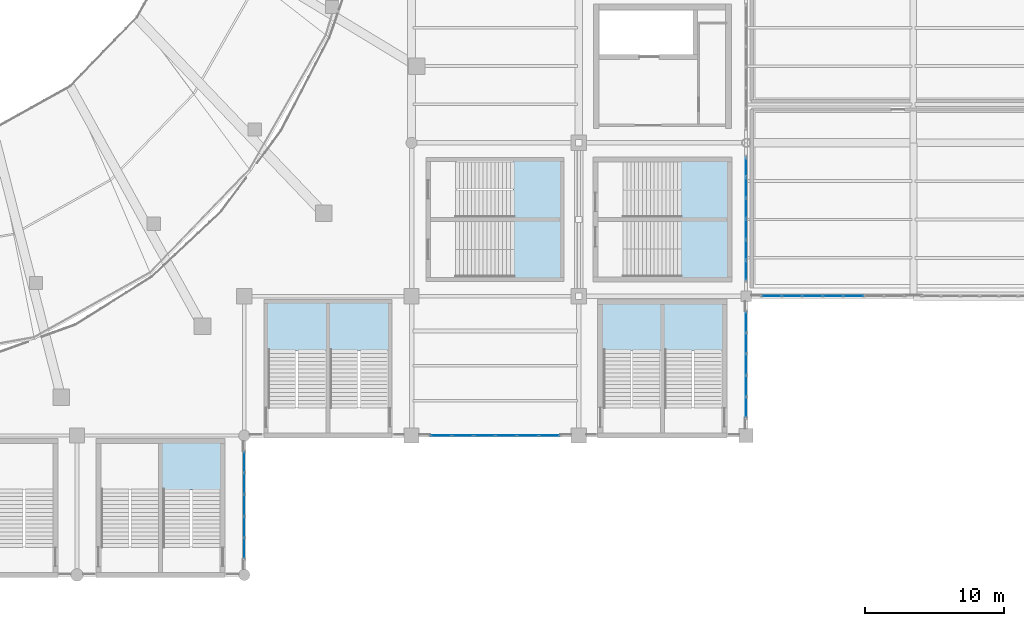
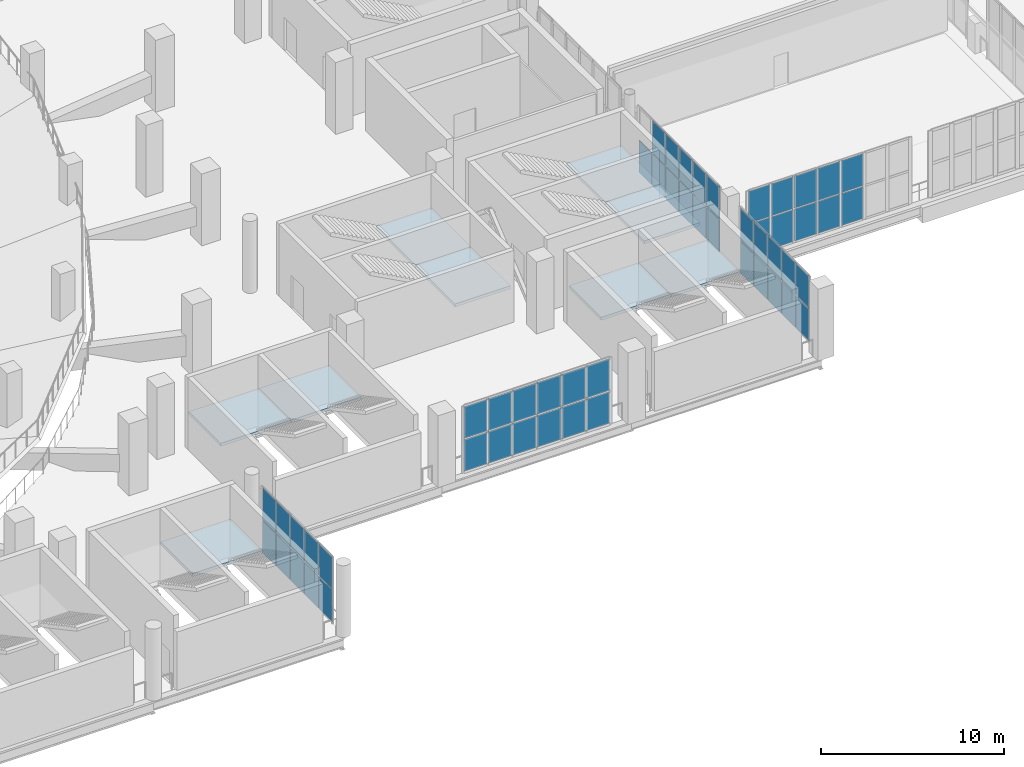
# One storey, part 100 of 136: 53 plates, 9 slabs, 14 elements without a shape of their own.
"""IFC4 building model written with IfcOpenShell, lengths in metres."""

from ifc_helpers import new_model, si_unit, direction, frame, origin, origin_2d, place, context, subcontext, project, spatial, polyline, rectangle, outline, extrude, material, layer, layer_set, type_object, element, aggregate, save


model = new_model("IFC4")

# Units and contexts
model_context = context("Model", 3, precision=1e-05, world=origin(), true_north=direction((0.0, 1.0)))
body_context = subcontext(model_context, "Body", "Model", "MODEL_VIEW")
ifc_project = project(units=[si_unit("LENGTHUNIT", "METRE"), si_unit("AREAUNIT", "SQUARE_METRE"), si_unit("VOLUMEUNIT", "CUBIC_METRE"), si_unit("PLANEANGLEUNIT", "RADIAN"), si_unit("MASSUNIT", "GRAM", prefix="KILO")], contexts=[model_context])

# Site, building, storey
site_placement = place(None, origin())
site = spatial("IfcSite", under=ifc_project, at=site_placement, CompositionType="ELEMENT")
building_placement = place(site_placement, origin())
building = spatial("IfcBuilding", under=site, at=building_placement, Name="Brinegate Civic Arena", CompositionType="ELEMENT")
storey_placement = place(building_placement, frame((0.0, 0.0, 5.39990234375)))
storey = spatial("IfcBuildingStorey", under=building, at=storey_placement, Name="L01", CompositionType="ELEMENT", Elevation=5.39990234375)

# Curtain wall, plates
ifc_material_1 = material(Name="Marine grade aluminium", Category="aluminium")
ifc_layer_1 = layer(ifc_material_1, 0.18505859375, Name="Marine grade aluminium")
ifc_layer_set_1 = layer_set([ifc_layer_1], Name="Marine grade aluminium")
curtain_wall_type_1 = type_object("IfcCurtainWallType", Name="CW-WING-GLAZED-03", PredefinedType="USERDEFINED", material=ifc_layer_set_1)
curtain_wall_1_placement = place(storey_placement, origin())
curtain_wall_1 = element("IfcCurtainWall", 1, at=curtain_wall_1_placement, inside=storey, type_object=curtain_wall_type_1, Name="Curtain Wall CWA-039", ObjectType="GLAZED CURTAIN WALL", PredefinedType="USERDEFINED")
ifc_material_2 = material(Name="Hurricane laminated low-E glass", Category="glass")
ifc_layer_2 = layer(ifc_material_2, 0.031982421875, Name="Hurricane laminated low-E glass")
ifc_layer_set_2 = layer_set([ifc_layer_2], Name="Hurricane laminated low-E glass")
plate_type_1 = type_object("IfcPlateType", Name="CW-PANEL-GLAZED-32", PredefinedType="CURTAIN_PANEL", material=ifc_layer_set_2)
plate_1_placement = place(storey_placement, frame((169.83349609375, 20.0, 0.06494140625), z_axis=(0.0, 0.0, 1.0), x_axis=(1.0, 0.0, 0.0)))
plate_1 = element("IfcPlate", 2, at=plate_1_placement, type_object=plate_type_1, Name="CWA-039 panel 1.1", PredefinedType="CURTAIN_PANEL", context=body_context, shape_type="SweptSolid", body=[
    extrude(rectangle(XDim=1.376708984375, YDim=0.031982421875, at=origin_2d()), origin(), (0.0, 0.0, 1.0), 2.137451171875),
])
plate_2_placement = place(storey_placement, frame((169.83349609375, 20.0, 2.267578125), z_axis=(0.0, 0.0, 1.0), x_axis=(1.0, 0.0, 0.0)))
plate_2 = element("IfcPlate", 3, at=plate_2_placement, type_object=plate_type_1, Name="CWA-039 panel 1.2", PredefinedType="CURTAIN_PANEL", context=body_context, shape_type="SweptSolid", body=[
    extrude(rectangle(XDim=1.376708984375, YDim=0.031982421875, at=origin_2d()), origin(), (0.0, 0.0, 1.0), 2.137451171875),
])
plate_3_placement = place(storey_placement, frame((171.29150390625, 20.0, 0.06494140625), z_axis=(0.0, 0.0, 1.0), x_axis=(1.0, 0.0, 0.0)))
plate_3 = element("IfcPlate", 4, at=plate_3_placement, type_object=plate_type_1, Name="CWA-039 panel 2.1", PredefinedType="CURTAIN_PANEL", context=body_context, shape_type="SweptSolid", body=[
    extrude(rectangle(XDim=1.4091796875, YDim=0.031982421875, at=origin_2d()), origin(), (0.0, 0.0, 1.0), 2.137451171875),
])
plate_4_placement = place(storey_placement, frame((171.29150390625, 20.0, 2.267578125), z_axis=(0.0, 0.0, 1.0), x_axis=(1.0, 0.0, 0.0)))
plate_4 = element("IfcPlate", 5, at=plate_4_placement, type_object=plate_type_1, Name="CWA-039 panel 2.2", PredefinedType="CURTAIN_PANEL", context=body_context, shape_type="SweptSolid", body=[
    extrude(rectangle(XDim=1.4091796875, YDim=0.031982421875, at=origin_2d()), origin(), (0.0, 0.0, 1.0), 2.137451171875),
])
plate_5_placement = place(storey_placement, frame((172.765625, 20.0, 0.06494140625), z_axis=(0.0, 0.0, 1.0), x_axis=(1.0, 0.0, 0.0)))
plate_5 = element("IfcPlate", 6, at=plate_5_placement, type_object=plate_type_1, Name="CWA-039 panel 3.1", PredefinedType="CURTAIN_PANEL", context=body_context, shape_type="SweptSolid", body=[
    extrude(rectangle(XDim=1.4091796875, YDim=0.031982421875, at=origin_2d()), origin(), (0.0, 0.0, 1.0), 2.137451171875),
])
plate_6_placement = place(storey_placement, frame((172.765625, 20.0, 2.267578125), z_axis=(0.0, 0.0, 1.0), x_axis=(1.0, 0.0, 0.0)))
plate_6 = element("IfcPlate", 7, at=plate_6_placement, type_object=plate_type_1, Name="CWA-039 panel 3.2", PredefinedType="CURTAIN_PANEL", context=body_context, shape_type="SweptSolid", body=[
    extrude(rectangle(XDim=1.4091796875, YDim=0.031982421875, at=origin_2d()), origin(), (0.0, 0.0, 1.0), 2.137451171875),
])
plate_7_placement = place(storey_placement, frame((174.239990234375, 20.0, 0.06494140625), z_axis=(0.0, 0.0, 1.0), x_axis=(1.0, 0.0, 0.0)))
plate_7 = element("IfcPlate", 8, at=plate_7_placement, type_object=plate_type_1, Name="CWA-039 panel 4.1", PredefinedType="CURTAIN_PANEL", context=body_context, shape_type="SweptSolid", body=[
    extrude(rectangle(XDim=1.4091796875, YDim=0.031982421875, at=origin_2d()), origin(), (0.0, 0.0, 1.0), 2.137451171875),
])
plate_8_placement = place(storey_placement, frame((174.239990234375, 20.0, 2.267578125), z_axis=(0.0, 0.0, 1.0), x_axis=(1.0, 0.0, 0.0)))
plate_8 = element("IfcPlate", 9, at=plate_8_placement, type_object=plate_type_1, Name="CWA-039 panel 4.2", PredefinedType="CURTAIN_PANEL", context=body_context, shape_type="SweptSolid", body=[
    extrude(rectangle(XDim=1.4091796875, YDim=0.031982421875, at=origin_2d()), origin(), (0.0, 0.0, 1.0), 2.137451171875),
])
plate_9_placement = place(storey_placement, frame((175.71435546875, 20.0, 0.06494140625), z_axis=(0.0, 0.0, 1.0), x_axis=(1.0, 0.0, 0.0)))
plate_9 = element("IfcPlate", 10, at=plate_9_placement, type_object=plate_type_1, Name="CWA-039 panel 5.1", PredefinedType="CURTAIN_PANEL", context=body_context, shape_type="SweptSolid", body=[
    extrude(rectangle(XDim=1.4091796875, YDim=0.031982421875, at=origin_2d()), origin(), (0.0, 0.0, 1.0), 2.137451171875),
])
plate_10_placement = place(storey_placement, frame((175.71435546875, 20.0, 2.267578125), z_axis=(0.0, 0.0, 1.0), x_axis=(1.0, 0.0, 0.0)))
plate_10 = element("IfcPlate", 11, at=plate_10_placement, type_object=plate_type_1, Name="CWA-039 panel 5.2", PredefinedType="CURTAIN_PANEL", context=body_context, shape_type="SweptSolid", body=[
    extrude(rectangle(XDim=1.4091796875, YDim=0.031982421875, at=origin_2d()), origin(), (0.0, 0.0, 1.0), 2.137451171875),
])
aggregate(curtain_wall_1, [plate_1, plate_2, plate_3, plate_4, plate_5, plate_6, plate_7, plate_8, plate_9, plate_10])

ifc_layer_3 = layer(ifc_material_1, 0.199951171875, Name="Marine grade aluminium")
ifc_layer_set_3 = layer_set([ifc_layer_3], Name="Marine grade aluminium")
curtain_wall_type_2 = type_object("IfcCurtainWallType", Name="CW-BOWL-GLAZED-01", PredefinedType="USERDEFINED", material=ifc_layer_set_3)
curtain_wall_2_placement = place(storey_placement, origin())
curtain_wall_2 = element("IfcCurtainWall", 12, at=curtain_wall_2_placement, inside=storey, type_object=curtain_wall_type_2, Name="Curtain Wall CWA-043", ObjectType="GLAZED CURTAIN WALL", PredefinedType="USERDEFINED")
plate_11_placement = place(storey_placement, frame((168.0, 12.03955078125, 0.06494140625), z_axis=(0.0, 0.0, 1.0), x_axis=(0.0, 1.0, 0.0)))
plate_11 = element("IfcPlate", 13, at=plate_11_placement, type_object=plate_type_1, Name="CWA-043 panel 1.1", PredefinedType="CURTAIN_PANEL", context=body_context, shape_type="SweptSolid", body=[
    extrude(rectangle(XDim=1.43505859375, YDim=0.031982421875, at=origin_2d()), origin(), (0.0, 0.0, 1.0), 2.137451171875),
])
plate_12_placement = place(storey_placement, frame((168.0, 12.03955078125, 2.267578125), z_axis=(0.0, 0.0, 1.0), x_axis=(0.0, 1.0, 0.0)))
plate_12 = element("IfcPlate", 14, at=plate_12_placement, type_object=plate_type_1, Name="CWA-043 panel 1.2", PredefinedType="CURTAIN_PANEL", context=body_context, shape_type="SweptSolid", body=[
    extrude(rectangle(XDim=1.43505859375, YDim=0.031982421875, at=origin_2d()), origin(), (0.0, 0.0, 1.0), 2.137451171875),
])
plate_13_placement = place(storey_placement, frame((168.0, 13.555908203125, 0.06494140625), z_axis=(0.0, 0.0, 1.0), x_axis=(0.0, 1.0, 0.0)))
plate_13 = element("IfcPlate", 15, at=plate_13_placement, type_object=plate_type_1, Name="CWA-043 panel 2.1", PredefinedType="CURTAIN_PANEL", context=body_context, shape_type="SweptSolid", body=[
    extrude(rectangle(XDim=1.467529296875, YDim=0.031982421875, at=origin_2d()), origin(), (0.0, 0.0, 1.0), 2.137451171875),
])
plate_14_placement = place(storey_placement, frame((168.0, 13.555908203125, 2.267578125), z_axis=(0.0, 0.0, 1.0), x_axis=(0.0, 1.0, 0.0)))
plate_14 = element("IfcPlate", 16, at=plate_14_placement, type_object=plate_type_1, Name="CWA-043 panel 2.2", PredefinedType="CURTAIN_PANEL", context=body_context, shape_type="SweptSolid", body=[
    extrude(rectangle(XDim=1.467529296875, YDim=0.031982421875, at=origin_2d()), origin(), (0.0, 0.0, 1.0), 2.137451171875),
])
plate_15_placement = place(storey_placement, frame((168.0, 15.08837890625, 0.06494140625), z_axis=(0.0, 0.0, 1.0), x_axis=(0.0, 1.0, 0.0)))
plate_15 = element("IfcPlate", 17, at=plate_15_placement, type_object=plate_type_1, Name="CWA-043 panel 3.1", PredefinedType="CURTAIN_PANEL", context=body_context, shape_type="SweptSolid", body=[
    extrude(rectangle(XDim=1.467529296875, YDim=0.031982421875, at=origin_2d()), origin(), (0.0, 0.0, 1.0), 2.137451171875),
])
plate_16_placement = place(storey_placement, frame((168.0, 15.08837890625, 2.267578125), z_axis=(0.0, 0.0, 1.0), x_axis=(0.0, 1.0, 0.0)))
plate_16 = element("IfcPlate", 18, at=plate_16_placement, type_object=plate_type_1, Name="CWA-043 panel 3.2", PredefinedType="CURTAIN_PANEL", context=body_context, shape_type="SweptSolid", body=[
    extrude(rectangle(XDim=1.467529296875, YDim=0.031982421875, at=origin_2d()), origin(), (0.0, 0.0, 1.0), 2.137451171875),
])
plate_17_placement = place(storey_placement, frame((168.0, 16.62109375, 0.06494140625), z_axis=(0.0, 0.0, 1.0), x_axis=(0.0, 1.0, 0.0)))
plate_17 = element("IfcPlate", 19, at=plate_17_placement, type_object=plate_type_1, Name="CWA-043 panel 4.1", PredefinedType="CURTAIN_PANEL", context=body_context, shape_type="SweptSolid", body=[
    extrude(rectangle(XDim=1.467529296875, YDim=0.031982421875, at=origin_2d()), origin(), (0.0, 0.0, 1.0), 2.137451171875),
])
plate_18_placement = place(storey_placement, frame((168.0, 16.62109375, 2.267578125), z_axis=(0.0, 0.0, 1.0), x_axis=(0.0, 1.0, 0.0)))
plate_18 = element("IfcPlate", 20, at=plate_18_placement, type_object=plate_type_1, Name="CWA-043 panel 4.2", PredefinedType="CURTAIN_PANEL", context=body_context, shape_type="SweptSolid", body=[
    extrude(rectangle(XDim=1.467529296875, YDim=0.031982421875, at=origin_2d()), origin(), (0.0, 0.0, 1.0), 2.137451171875),
])
plate_19_placement = place(storey_placement, frame((168.0, 18.137451171875, 0.06494140625), z_axis=(0.0, 0.0, 1.0), x_axis=(0.0, 1.0, 0.0)))
plate_19 = element("IfcPlate", 21, at=plate_19_placement, type_object=plate_type_1, Name="CWA-043 panel 5.1", PredefinedType="CURTAIN_PANEL", context=body_context, shape_type="SweptSolid", body=[
    extrude(rectangle(XDim=1.43505859375, YDim=0.031982421875, at=origin_2d()), origin(), (0.0, 0.0, 1.0), 2.137451171875),
])
plate_20_placement = place(storey_placement, frame((168.0, 18.137451171875, 2.267578125), z_axis=(0.0, 0.0, 1.0), x_axis=(0.0, 1.0, 0.0)))
plate_20 = element("IfcPlate", 22, at=plate_20_placement, type_object=plate_type_1, Name="CWA-043 panel 5.2", PredefinedType="CURTAIN_PANEL", context=body_context, shape_type="SweptSolid", body=[
    extrude(rectangle(XDim=1.43505859375, YDim=0.031982421875, at=origin_2d()), origin(), (0.0, 0.0, 1.0), 2.137451171875),
])
aggregate(curtain_wall_2, [plate_11, plate_12, plate_13, plate_14, plate_15, plate_16, plate_17, plate_18, plate_19, plate_20])

ifc_layer_4 = layer(ifc_material_1, 0.25, Name="Marine grade aluminium")
ifc_layer_set_4 = layer_set([ifc_layer_4], Name="Marine grade aluminium")
curtain_wall_type_3 = type_object("IfcCurtainWallType", Name="CW-PORTAL-SOUTH-02", PredefinedType="USERDEFINED", material=ifc_layer_set_4)
curtain_wall_3_placement = place(storey_placement, origin())
curtain_wall_3 = element("IfcCurtainWall", 23, at=curtain_wall_3_placement, inside=storey, type_object=curtain_wall_type_3, Name="Curtain Wall CWA-071", ObjectType="PORTAL CURTAIN WALL", PredefinedType="USERDEFINED")
plate_21_placement = place(storey_placement, frame((132.0, 1.908935546875, 0.06494140625), z_axis=(0.0, 0.0, 1.0), x_axis=(0.0, 1.0, 0.0)))
plate_21 = element("IfcPlate", 24, at=plate_21_placement, type_object=plate_type_1, Name="CWA-071 panel 1.1", PredefinedType="CURTAIN_PANEL", context=body_context, shape_type="SweptSolid", body=[
    extrude(rectangle(XDim=1.4560546875, YDim=0.031982421875, at=origin_2d()), origin(), (0.0, 0.0, 1.0), 2.137451171875),
])
plate_22_placement = place(storey_placement, frame((132.0, 1.908935546875, 2.267578125), z_axis=(0.0, 0.0, 1.0), x_axis=(0.0, 1.0, 0.0)))
plate_22 = element("IfcPlate", 25, at=plate_22_placement, type_object=plate_type_1, Name="CWA-071 panel 1.2", PredefinedType="CURTAIN_PANEL", context=body_context, shape_type="SweptSolid", body=[
    extrude(rectangle(XDim=1.4560546875, YDim=0.031982421875, at=origin_2d()), origin(), (0.0, 0.0, 1.0), 2.137451171875),
])
plate_23_placement = place(storey_placement, frame((132.0, 3.4462890625, 0.06494140625), z_axis=(0.0, 0.0, 1.0), x_axis=(0.0, 1.0, 0.0)))
plate_23 = element("IfcPlate", 26, at=plate_23_placement, type_object=plate_type_1, Name="CWA-071 panel 2.1", PredefinedType="CURTAIN_PANEL", context=body_context, shape_type="SweptSolid", body=[
    extrude(rectangle(XDim=1.488525390625, YDim=0.031982421875, at=origin_2d()), origin(), (0.0, 0.0, 1.0), 2.137451171875),
])
plate_24_placement = place(storey_placement, frame((132.0, 3.4462890625, 2.267578125), z_axis=(0.0, 0.0, 1.0), x_axis=(0.0, 1.0, 0.0)))
plate_24 = element("IfcPlate", 27, at=plate_24_placement, type_object=plate_type_1, Name="CWA-071 panel 2.2", PredefinedType="CURTAIN_PANEL", context=body_context, shape_type="SweptSolid", body=[
    extrude(rectangle(XDim=1.488525390625, YDim=0.031982421875, at=origin_2d()), origin(), (0.0, 0.0, 1.0), 2.137451171875),
])
plate_25_placement = place(storey_placement, frame((132.0, 5.0, 0.06494140625), z_axis=(0.0, 0.0, 1.0), x_axis=(0.0, 1.0, 0.0)))
plate_25 = element("IfcPlate", 28, at=plate_25_placement, type_object=plate_type_1, Name="CWA-071 panel 3.1", PredefinedType="CURTAIN_PANEL", context=body_context, shape_type="SweptSolid", body=[
    extrude(rectangle(XDim=1.488525390625, YDim=0.031982421875, at=origin_2d()), origin(), (0.0, 0.0, 1.0), 2.137451171875),
])
plate_26_placement = place(storey_placement, frame((132.0, 5.0, 2.267578125), z_axis=(0.0, 0.0, 1.0), x_axis=(0.0, 1.0, 0.0)))
plate_26 = element("IfcPlate", 29, at=plate_26_placement, type_object=plate_type_1, Name="CWA-071 panel 3.2", PredefinedType="CURTAIN_PANEL", context=body_context, shape_type="SweptSolid", body=[
    extrude(rectangle(XDim=1.488525390625, YDim=0.031982421875, at=origin_2d()), origin(), (0.0, 0.0, 1.0), 2.137451171875),
])
plate_27_placement = place(storey_placement, frame((132.0, 6.5537109375, 0.06494140625), z_axis=(0.0, 0.0, 1.0), x_axis=(0.0, 1.0, 0.0)))
plate_27 = element("IfcPlate", 30, at=plate_27_placement, type_object=plate_type_1, Name="CWA-071 panel 4.1", PredefinedType="CURTAIN_PANEL", context=body_context, shape_type="SweptSolid", body=[
    extrude(rectangle(XDim=1.488525390625, YDim=0.031982421875, at=origin_2d()), origin(), (0.0, 0.0, 1.0), 2.137451171875),
])
plate_28_placement = place(storey_placement, frame((132.0, 6.5537109375, 2.267578125), z_axis=(0.0, 0.0, 1.0), x_axis=(0.0, 1.0, 0.0)))
plate_28 = element("IfcPlate", 31, at=plate_28_placement, type_object=plate_type_1, Name="CWA-071 panel 4.2", PredefinedType="CURTAIN_PANEL", context=body_context, shape_type="SweptSolid", body=[
    extrude(rectangle(XDim=1.488525390625, YDim=0.031982421875, at=origin_2d()), origin(), (0.0, 0.0, 1.0), 2.137451171875),
])
plate_29_placement = place(storey_placement, frame((132.0, 8.091064453125, 0.06494140625), z_axis=(0.0, 0.0, 1.0), x_axis=(0.0, 1.0, 0.0)))
plate_29 = element("IfcPlate", 32, at=plate_29_placement, type_object=plate_type_1, Name="CWA-071 panel 5.1", PredefinedType="CURTAIN_PANEL", context=body_context, shape_type="SweptSolid", body=[
    extrude(rectangle(XDim=1.4560546875, YDim=0.031982421875, at=origin_2d()), origin(), (0.0, 0.0, 1.0), 2.137451171875),
])
plate_30_placement = place(storey_placement, frame((132.0, 8.091064453125, 2.267578125), z_axis=(0.0, 0.0, 1.0), x_axis=(0.0, 1.0, 0.0)))
plate_30 = element("IfcPlate", 33, at=plate_30_placement, type_object=plate_type_1, Name="CWA-071 panel 5.2", PredefinedType="CURTAIN_PANEL", context=body_context, shape_type="SweptSolid", body=[
    extrude(rectangle(XDim=1.4560546875, YDim=0.031982421875, at=origin_2d()), origin(), (0.0, 0.0, 1.0), 2.137451171875),
])
aggregate(curtain_wall_3, [plate_21, plate_22, plate_23, plate_24, plate_25, plate_26, plate_27, plate_28, plate_29, plate_30])

curtain_wall_4_placement = place(storey_placement, origin())
curtain_wall_4 = element("IfcCurtainWall", 34, at=curtain_wall_4_placement, inside=storey, type_object=curtain_wall_type_2, Name="Curtain Wall CWA-073", ObjectType="GLAZED CURTAIN WALL", PredefinedType="USERDEFINED")
plate_31_placement = place(storey_placement, frame((146.122802734375, 10.0, 0.074951171875), z_axis=(0.0, 0.0, 1.0), x_axis=(1.0, 0.0, 0.0)))
plate_31 = element("IfcPlate", 35, at=plate_31_placement, type_object=plate_type_1, Name="CWA-073 panel 1.1", PredefinedType="CURTAIN_PANEL", context=body_context, shape_type="SweptSolid", body=[
    extrude(rectangle(XDim=1.459716796875, YDim=0.031982421875, at=origin_2d()), origin(), (0.0, 0.0, 1.0), 2.12255859375),
])
plate_32_placement = place(storey_placement, frame((146.122802734375, 10.0, 2.2724609375), z_axis=(0.0, 0.0, 1.0), x_axis=(1.0, 0.0, 0.0)))
plate_32 = element("IfcPlate", 36, at=plate_32_placement, type_object=plate_type_1, Name="CWA-073 panel 1.2", PredefinedType="CURTAIN_PANEL", context=body_context, shape_type="SweptSolid", body=[
    extrude(rectangle(XDim=1.459716796875, YDim=0.031982421875, at=origin_2d()), origin(), (0.0, 0.0, 1.0), 2.12255859375),
])
plate_33_placement = place(storey_placement, frame((147.6640625, 10.0, 0.074951171875), z_axis=(0.0, 0.0, 1.0), x_axis=(1.0, 0.0, 0.0)))
plate_33 = element("IfcPlate", 37, at=plate_33_placement, type_object=plate_type_1, Name="CWA-073 panel 2.1", PredefinedType="CURTAIN_PANEL", context=body_context, shape_type="SweptSolid", body=[
    extrude(rectangle(XDim=1.492431640625, YDim=0.031982421875, at=origin_2d()), origin(), (0.0, 0.0, 1.0), 2.12255859375),
])
plate_34_placement = place(storey_placement, frame((147.6640625, 10.0, 2.2724609375), z_axis=(0.0, 0.0, 1.0), x_axis=(1.0, 0.0, 0.0)))
plate_34 = element("IfcPlate", 38, at=plate_34_placement, type_object=plate_type_1, Name="CWA-073 panel 2.2", PredefinedType="CURTAIN_PANEL", context=body_context, shape_type="SweptSolid", body=[
    extrude(rectangle(XDim=1.492431640625, YDim=0.031982421875, at=origin_2d()), origin(), (0.0, 0.0, 1.0), 2.12255859375),
])
plate_35_placement = place(storey_placement, frame((149.221435546875, 10.0, 0.074951171875), z_axis=(0.0, 0.0, 1.0), x_axis=(1.0, 0.0, 0.0)))
plate_35 = element("IfcPlate", 39, at=plate_35_placement, type_object=plate_type_1, Name="CWA-073 panel 3.1", PredefinedType="CURTAIN_PANEL", context=body_context, shape_type="SweptSolid", body=[
    extrude(rectangle(XDim=1.492431640625, YDim=0.031982421875, at=origin_2d()), origin(), (0.0, 0.0, 1.0), 2.12255859375),
])
plate_36_placement = place(storey_placement, frame((149.221435546875, 10.0, 2.2724609375), z_axis=(0.0, 0.0, 1.0), x_axis=(1.0, 0.0, 0.0)))
plate_36 = element("IfcPlate", 40, at=plate_36_placement, type_object=plate_type_1, Name="CWA-073 panel 3.2", PredefinedType="CURTAIN_PANEL", context=body_context, shape_type="SweptSolid", body=[
    extrude(rectangle(XDim=1.492431640625, YDim=0.031982421875, at=origin_2d()), origin(), (0.0, 0.0, 1.0), 2.12255859375),
])
plate_37_placement = place(storey_placement, frame((150.778564453125, 10.0, 0.074951171875), z_axis=(0.0, 0.0, 1.0), x_axis=(1.0, 0.0, 0.0)))
plate_37 = element("IfcPlate", 41, at=plate_37_placement, type_object=plate_type_1, Name="CWA-073 panel 4.1", PredefinedType="CURTAIN_PANEL", context=body_context, shape_type="SweptSolid", body=[
    extrude(rectangle(XDim=1.492431640625, YDim=0.031982421875, at=origin_2d()), origin(), (0.0, 0.0, 1.0), 2.12255859375),
])
plate_38_placement = place(storey_placement, frame((150.778564453125, 10.0, 2.2724609375), z_axis=(0.0, 0.0, 1.0), x_axis=(1.0, 0.0, 0.0)))
plate_38 = element("IfcPlate", 42, at=plate_38_placement, type_object=plate_type_1, Name="CWA-073 panel 4.2", PredefinedType="CURTAIN_PANEL", context=body_context, shape_type="SweptSolid", body=[
    extrude(rectangle(XDim=1.492431640625, YDim=0.031982421875, at=origin_2d()), origin(), (0.0, 0.0, 1.0), 2.12255859375),
])
plate_39_placement = place(storey_placement, frame((152.3359375, 10.0, 0.074951171875), z_axis=(0.0, 0.0, 1.0), x_axis=(1.0, 0.0, 0.0)))
plate_39 = element("IfcPlate", 43, at=plate_39_placement, type_object=plate_type_1, Name="CWA-073 panel 5.1", PredefinedType="CURTAIN_PANEL", context=body_context, shape_type="SweptSolid", body=[
    extrude(rectangle(XDim=1.492431640625, YDim=0.031982421875, at=origin_2d()), origin(), (0.0, 0.0, 1.0), 2.12255859375),
])
plate_40_placement = place(storey_placement, frame((152.3359375, 10.0, 2.2724609375), z_axis=(0.0, 0.0, 1.0), x_axis=(1.0, 0.0, 0.0)))
plate_40 = element("IfcPlate", 44, at=plate_40_placement, type_object=plate_type_1, Name="CWA-073 panel 5.2", PredefinedType="CURTAIN_PANEL", context=body_context, shape_type="SweptSolid", body=[
    extrude(rectangle(XDim=1.492431640625, YDim=0.031982421875, at=origin_2d()), origin(), (0.0, 0.0, 1.0), 2.12255859375),
])
plate_41_placement = place(storey_placement, frame((153.877197265625, 10.0, 0.074951171875), z_axis=(0.0, 0.0, 1.0), x_axis=(1.0, 0.0, 0.0)))
plate_41 = element("IfcPlate", 45, at=plate_41_placement, type_object=plate_type_1, Name="CWA-073 panel 6.1", PredefinedType="CURTAIN_PANEL", context=body_context, shape_type="SweptSolid", body=[
    extrude(rectangle(XDim=1.459716796875, YDim=0.031982421875, at=origin_2d()), origin(), (0.0, 0.0, 1.0), 2.12255859375),
])
plate_42_placement = place(storey_placement, frame((153.877197265625, 10.0, 2.2724609375), z_axis=(0.0, 0.0, 1.0), x_axis=(1.0, 0.0, 0.0)))
plate_42 = element("IfcPlate", 46, at=plate_42_placement, type_object=plate_type_1, Name="CWA-073 panel 6.2", PredefinedType="CURTAIN_PANEL", context=body_context, shape_type="SweptSolid", body=[
    extrude(rectangle(XDim=1.459716796875, YDim=0.031982421875, at=origin_2d()), origin(), (0.0, 0.0, 1.0), 2.12255859375),
])
aggregate(curtain_wall_4, [plate_31, plate_32, plate_33, plate_34, plate_35, plate_36, plate_37, plate_38, plate_39, plate_40, plate_41, plate_42])

curtain_wall_5_placement = place(storey_placement, origin())
curtain_wall_5 = element("IfcCurtainWall", 47, at=curtain_wall_5_placement, inside=storey, type_object=curtain_wall_type_2, Name="Curtain Wall CWA-045", ObjectType="GLAZED CURTAIN WALL", PredefinedType="USERDEFINED")
ifc_layer_5 = layer(ifc_material_2, 0.0419921875, Name="Hurricane laminated low-E glass")
ifc_layer_set_5 = layer_set([ifc_layer_5], Name="Hurricane laminated low-E glass")
plate_type_2 = type_object("IfcPlateType", Name="CW-PANEL-SPANDREL-42", PredefinedType="CURTAIN_PANEL", material=ifc_layer_set_5)
plate_43_placement = place(storey_placement, frame((168.0, 21.844970703125, 0.06494140625), z_axis=(0.0, 0.0, 1.0), x_axis=(0.0, 1.0, 0.0)))
plate_43 = element("IfcPlate", 48, at=plate_43_placement, type_object=plate_type_2, Name="CWA-045 panel 1.1", PredefinedType="CURTAIN_PANEL", context=body_context, shape_type="SweptSolid", body=[
    extrude(rectangle(XDim=1.369873046875, YDim=0.0419921875, at=origin_2d()), origin(), (0.0, 0.0, 1.0), 2.137451171875),
])
plate_44_placement = place(storey_placement, frame((168.0, 21.844970703125, 2.267578125), z_axis=(0.0, 0.0, 1.0), x_axis=(0.0, 1.0, 0.0)))
plate_44 = element("IfcPlate", 49, at=plate_44_placement, type_object=plate_type_2, Name="CWA-045 panel 1.2", PredefinedType="CURTAIN_PANEL", context=body_context, shape_type="SweptSolid", body=[
    extrude(rectangle(XDim=1.369873046875, YDim=0.0419921875, at=origin_2d()), origin(), (0.0, 0.0, 1.0), 2.137451171875),
])
plate_45_placement = place(storey_placement, frame((168.0, 23.314697265625, 0.06494140625), z_axis=(0.0, 0.0, 1.0), x_axis=(0.0, 1.0, 0.0)))
plate_45 = element("IfcPlate", 50, at=plate_45_placement, type_object=plate_type_2, Name="CWA-045 panel 2.1", PredefinedType="CURTAIN_PANEL", context=body_context, shape_type="SweptSolid", body=[
    extrude(rectangle(XDim=1.409912109375, YDim=0.0419921875, at=origin_2d()), origin(), (0.0, 0.0, 1.0), 2.137451171875),
])
plate_46_placement = place(storey_placement, frame((168.0, 23.314697265625, 2.267578125), z_axis=(0.0, 0.0, 1.0), x_axis=(0.0, 1.0, 0.0)))
plate_46 = element("IfcPlate", 51, at=plate_46_placement, type_object=plate_type_2, Name="CWA-045 panel 2.2", PredefinedType="CURTAIN_PANEL", context=body_context, shape_type="SweptSolid", body=[
    extrude(rectangle(XDim=1.409912109375, YDim=0.0419921875, at=origin_2d()), origin(), (0.0, 0.0, 1.0), 2.137451171875),
])
plate_47_placement = place(storey_placement, frame((168.0, 24.8046875, 0.06494140625), z_axis=(0.0, 0.0, 1.0), x_axis=(0.0, 1.0, 0.0)))
plate_47 = element("IfcPlate", 52, at=plate_47_placement, type_object=plate_type_2, Name="CWA-045 panel 3.1", PredefinedType="CURTAIN_PANEL", context=body_context, shape_type="SweptSolid", body=[
    extrude(rectangle(XDim=1.409912109375, YDim=0.0419921875, at=origin_2d()), origin(), (0.0, 0.0, 1.0), 2.137451171875),
])
plate_48_placement = place(storey_placement, frame((168.0, 24.8046875, 2.267578125), z_axis=(0.0, 0.0, 1.0), x_axis=(0.0, 1.0, 0.0)))
plate_48 = element("IfcPlate", 53, at=plate_48_placement, type_object=plate_type_2, Name="CWA-045 panel 3.2", PredefinedType="CURTAIN_PANEL", context=body_context, shape_type="SweptSolid", body=[
    extrude(rectangle(XDim=1.409912109375, YDim=0.0419921875, at=origin_2d()), origin(), (0.0, 0.0, 1.0), 2.137451171875),
])
plate_49_placement = place(storey_placement, frame((168.0, 26.29443359375, 0.06494140625), z_axis=(0.0, 0.0, 1.0), x_axis=(0.0, 1.0, 0.0)))
plate_49 = element("IfcPlate", 54, at=plate_49_placement, type_object=plate_type_2, Name="CWA-045 panel 4.1", PredefinedType="CURTAIN_PANEL", context=body_context, shape_type="SweptSolid", body=[
    extrude(rectangle(XDim=1.409912109375, YDim=0.0419921875, at=origin_2d()), origin(), (0.0, 0.0, 1.0), 2.137451171875),
])
plate_50_placement = place(storey_placement, frame((168.0, 26.29443359375, 2.267578125), z_axis=(0.0, 0.0, 1.0), x_axis=(0.0, 1.0, 0.0)))
plate_50 = element("IfcPlate", 55, at=plate_50_placement, type_object=plate_type_2, Name="CWA-045 panel 4.2", PredefinedType="CURTAIN_PANEL", context=body_context, shape_type="SweptSolid", body=[
    extrude(rectangle(XDim=1.409912109375, YDim=0.0419921875, at=origin_2d()), origin(), (0.0, 0.0, 1.0), 2.137451171875),
])
plate_51_placement = place(storey_placement, frame((168.0, 27.7841796875, 0.06494140625), z_axis=(0.0, 0.0, 1.0), x_axis=(0.0, 1.0, 0.0)))
plate_51 = element("IfcPlate", 56, at=plate_51_placement, type_object=plate_type_2, Name="CWA-045 panel 5.1", PredefinedType="CURTAIN_PANEL", context=body_context, shape_type="SweptSolid", body=[
    extrude(rectangle(XDim=1.409912109375, YDim=0.0419921875, at=origin_2d()), origin(), (0.0, 0.0, 1.0), 2.137451171875),
])
plate_52_placement = place(storey_placement, frame((168.0, 27.7841796875, 2.267578125), z_axis=(0.0, 0.0, 1.0), x_axis=(0.0, 1.0, 0.0)))
plate_52 = element("IfcPlate", 57, at=plate_52_placement, type_object=plate_type_2, Name="CWA-045 panel 5.2", PredefinedType="CURTAIN_PANEL", context=body_context, shape_type="SweptSolid", body=[
    extrude(rectangle(XDim=1.409912109375, YDim=0.0419921875, at=origin_2d()), origin(), (0.0, 0.0, 1.0), 2.137451171875),
])
plate_53_placement = place(storey_placement, frame((168.0, 29.254150390625, 0.06494140625), z_axis=(0.0, 0.0, 1.0), x_axis=(0.0, 1.0, 0.0)))
plate_53 = element("IfcPlate", 58, at=plate_53_placement, type_object=plate_type_2, Name="CWA-045 panel 6.1", PredefinedType="CURTAIN_PANEL", context=body_context, shape_type="SweptSolid", body=[
    extrude(rectangle(XDim=1.369873046875, YDim=0.0419921875, at=origin_2d()), origin(), (0.0, 0.0, 1.0), 2.137451171875),
])
aggregate(curtain_wall_5, [plate_43, plate_44, plate_45, plate_46, plate_47, plate_48, plate_49, plate_50, plate_51, plate_52, plate_53])

# Stair, slab
ifc_material_3 = material(Name="Concrete C40/50", Category="concrete")
stair_type_1 = type_object("IfcStairType", Name="STAIR-EXIT-3700", PredefinedType="HALF_TURN_STAIR", material=ifc_material_3)
stair_1_placement = place(storey_placement, origin())
stair_1 = element("IfcStair", 59, at=stair_1_placement, inside=storey, type_object=stair_type_1, Name="Protected Exit Stair ST-04B (L01)", PredefinedType="HALF_TURN_STAIR")
ifc_layer_6 = layer(ifc_material_3, 0.199951171875, Name="Concrete C40/50")
ifc_layer_set_6 = layer_set([ifc_layer_6], Name="Concrete C40/50")
slab_type = type_object("IfcSlabType", Name="SLAB-LANDING-200", PredefinedType="LANDING", material=ifc_layer_set_6)
slab_1_placement = place(storey_placement, frame((0.0, 0.0, 2.2001953125)))
slab_1 = element("IfcSlab", 60, at=slab_1_placement, type_object=slab_type, Name="ST-04B landing 1", PredefinedType="LANDING", context=body_context, shape_type="SweptSolid", body=[
    extrude(outline(polyline([(125.9951171875, 6.090087890625), (130.425048828125, 6.090087890625), (130.425048828125, 9.60009765625), (125.9951171875, 9.60009765625), (125.9951171875, 6.090087890625)])), origin(), (0.0, 0.0, 1.0), 0.199951171875),
])
aggregate(stair_1, [slab_1])

stair_type_2 = type_object("IfcStairType", Name="STAIR-EXIT-3850", PredefinedType="HALF_TURN_STAIR", material=ifc_material_3)
stair_2_placement = place(storey_placement, origin())
stair_2 = element("IfcStair", 61, at=stair_2_placement, inside=storey, type_object=stair_type_2, Name="Protected Exit Stair ST-06A (L01)", PredefinedType="HALF_TURN_STAIR")
slab_2_placement = place(storey_placement, frame((0.0, 0.0, 2.2001953125)))
slab_2 = element("IfcSlab", 62, at=slab_2_placement, type_object=slab_type, Name="ST-06A landing 1", PredefinedType="LANDING", context=body_context, shape_type="SweptSolid", body=[
    extrude(outline(polyline([(157.594970703125, 16.090087890625), (162.0048828125, 16.090087890625), (162.0048828125, 19.60009765625), (157.594970703125, 19.60009765625), (157.594970703125, 16.090087890625)])), origin(), (0.0, 0.0, 1.0), 0.199951171875),
])
aggregate(stair_2, [slab_2])

stair_3_placement = place(storey_placement, origin())
stair_3 = element("IfcStair", 63, at=stair_3_placement, inside=storey, type_object=stair_type_1, Name="Protected Exit Stair ST-06B (L01)", PredefinedType="HALF_TURN_STAIR")
slab_3_placement = place(storey_placement, frame((0.0, 0.0, 2.2001953125)))
slab_3 = element("IfcSlab", 64, at=slab_3_placement, type_object=slab_type, Name="ST-06B landing 1", PredefinedType="LANDING", context=body_context, shape_type="SweptSolid", body=[
    extrude(outline(polyline([(161.9951171875, 16.090087890625), (166.405029296875, 16.090087890625), (166.405029296875, 19.60009765625), (161.9951171875, 19.60009765625), (161.9951171875, 16.090087890625)])), origin(), (0.0, 0.0, 1.0), 0.199951171875),
])
aggregate(stair_3, [slab_3])

stair_4_placement = place(storey_placement, origin())
stair_4 = element("IfcStair", 65, at=stair_4_placement, inside=storey, type_object=stair_type_2, Name="Protected Exit Stair ST-14A (L01)", PredefinedType="HALF_TURN_STAIR")
slab_4_placement = place(storey_placement, frame((0.0, 0.0, 2.2001953125)))
slab_4 = element("IfcSlab", 66, at=slab_4_placement, type_object=slab_type, Name="ST-14A landing 1", PredefinedType="LANDING", context=body_context, shape_type="SweptSolid", body=[
    extrude(outline(polyline([(133.544921875, 16.090087890625), (138.0048828125, 16.090087890625), (138.0048828125, 19.60009765625), (133.544921875, 19.60009765625), (133.544921875, 16.090087890625)])), origin(), (0.0, 0.0, 1.0), 0.199951171875),
])
aggregate(stair_4, [slab_4])

stair_5_placement = place(storey_placement, origin())
stair_5 = element("IfcStair", 67, at=stair_5_placement, inside=storey, type_object=stair_type_1, Name="Protected Exit Stair ST-14B (L01)", PredefinedType="HALF_TURN_STAIR")
slab_5_placement = place(storey_placement, frame((0.0, 0.0, 2.2001953125)))
slab_5 = element("IfcSlab", 68, at=slab_5_placement, type_object=slab_type, Name="ST-14B landing 1", PredefinedType="LANDING", context=body_context, shape_type="SweptSolid", body=[
    extrude(outline(polyline([(137.9951171875, 16.090087890625), (142.455078125, 16.090087890625), (142.455078125, 19.60009765625), (137.9951171875, 19.60009765625), (137.9951171875, 16.090087890625)])), origin(), (0.0, 0.0, 1.0), 0.199951171875),
])
aggregate(stair_5, [slab_5])

stair_6_placement = place(storey_placement, origin())
stair_6 = element("IfcStair", 69, at=stair_6_placement, inside=storey, type_object=stair_type_2, Name="Protected Exit Stair ST-17A (L01)", PredefinedType="HALF_TURN_STAIR")
slab_6_placement = place(storey_placement, frame((0.0, 0.0, 2.2001953125)))
slab_6 = element("IfcSlab", 70, at=slab_6_placement, type_object=slab_type, Name="ST-17A landing 1", PredefinedType="LANDING", context=body_context, shape_type="SweptSolid", body=[
    extrude(outline(polyline([(151.2900390625, 21.195068359375), (154.800048828125, 21.195068359375), (154.800048828125, 25.5048828125), (151.2900390625, 25.5048828125), (151.2900390625, 21.195068359375)])), origin(), (0.0, 0.0, 1.0), 0.199951171875),
])
aggregate(stair_6, [slab_6])

stair_7_placement = place(storey_placement, origin())
stair_7 = element("IfcStair", 71, at=stair_7_placement, inside=storey, type_object=stair_type_1, Name="Protected Exit Stair ST-17B (L01)", PredefinedType="HALF_TURN_STAIR")
slab_7_placement = place(storey_placement, frame((0.0, 0.0, 2.2001953125)))
slab_7 = element("IfcSlab", 72, at=slab_7_placement, type_object=slab_type, Name="ST-17B landing 1", PredefinedType="LANDING", context=body_context, shape_type="SweptSolid", body=[
    extrude(outline(polyline([(151.2900390625, 25.4951171875), (154.800048828125, 25.4951171875), (154.800048828125, 29.804931640625), (151.2900390625, 29.804931640625), (151.2900390625, 25.4951171875)])), origin(), (0.0, 0.0, 1.0), 0.199951171875),
])
aggregate(stair_7, [slab_7])

stair_8_placement = place(storey_placement, origin())
stair_8 = element("IfcStair", 73, at=stair_8_placement, inside=storey, type_object=stair_type_2, Name="Protected Exit Stair ST-19A (L01)", PredefinedType="HALF_TURN_STAIR")
slab_8_placement = place(storey_placement, frame((0.0, 0.0, 2.2001953125)))
slab_8 = element("IfcSlab", 74, at=slab_8_placement, type_object=slab_type, Name="ST-19A landing 1", PredefinedType="LANDING", context=body_context, shape_type="SweptSolid", body=[
    extrude(outline(polyline([(163.2900390625, 21.22509765625), (166.800048828125, 21.22509765625), (166.800048828125, 25.5048828125), (163.2900390625, 25.5048828125), (163.2900390625, 21.22509765625)])), origin(), (0.0, 0.0, 1.0), 0.199951171875),
])
aggregate(stair_8, [slab_8])

stair_9_placement = place(storey_placement, origin())
stair_9 = element("IfcStair", 75, at=stair_9_placement, inside=storey, type_object=stair_type_1, Name="Protected Exit Stair ST-19B (L01)", PredefinedType="HALF_TURN_STAIR")
slab_9_placement = place(storey_placement, frame((0.0, 0.0, 2.2001953125)))
slab_9 = element("IfcSlab", 76, at=slab_9_placement, type_object=slab_type, Name="ST-19B landing 1", PredefinedType="LANDING", context=body_context, shape_type="SweptSolid", body=[
    extrude(outline(polyline([(163.2900390625, 25.4951171875), (166.800048828125, 25.4951171875), (166.800048828125, 29.77490234375), (163.2900390625, 29.77490234375), (163.2900390625, 25.4951171875)])), origin(), (0.0, 0.0, 1.0), 0.199951171875),
])
aggregate(stair_9, [slab_9])

save(model, "model.ifc")
